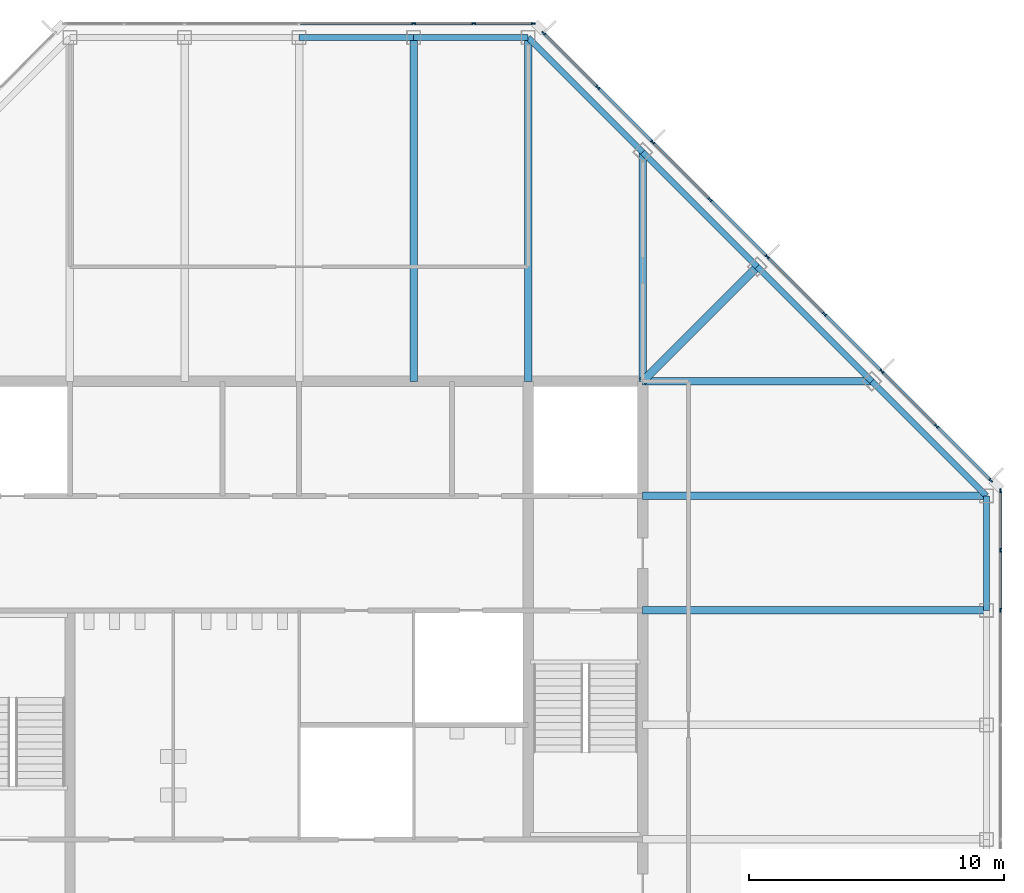
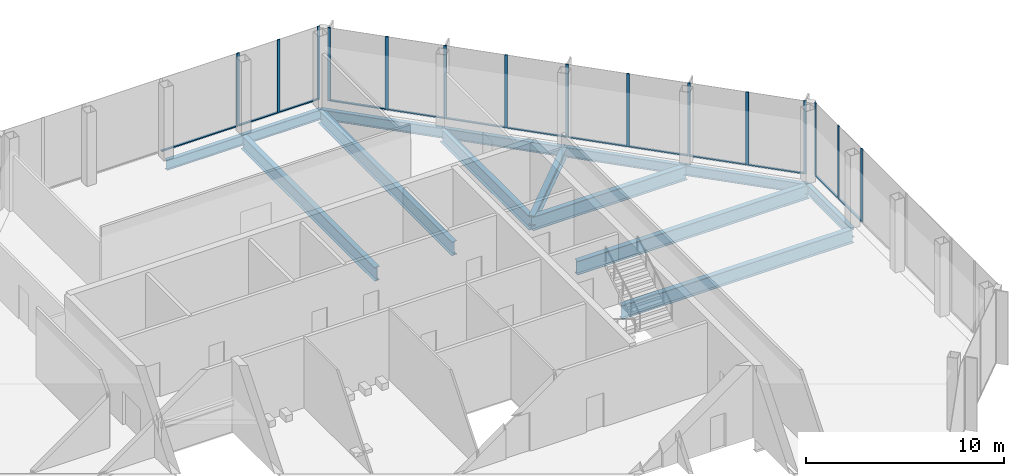
# One storey, part 7 of 13: 28 members, 14 beams, 3 elements without a shape of their own.
"""IFC4 building model written with IfcOpenShell, lengths in metres."""

from ifc_helpers import new_model, si_unit, direction, frame, origin, origin_2d, place, context, subcontext, project, spatial, rectangle, i_section, extrude, material, material_profile, profile_set, type_object, element, aggregate, save


model = new_model("IFC4")

# Units and contexts
model_context = context("Model", 3, precision=1e-05, world=origin(), true_north=direction((0.0, 1.0)))
body_context = subcontext(model_context, "Body", "Model", "MODEL_VIEW")
ifc_project = project(units=[si_unit("LENGTHUNIT", "METRE"), si_unit("AREAUNIT", "SQUARE_METRE"), si_unit("VOLUMEUNIT", "CUBIC_METRE"), si_unit("PLANEANGLEUNIT", "RADIAN"), si_unit("MASSUNIT", "GRAM", prefix="KILO")], contexts=[model_context])

# Site, building, storey
site_placement = place(None, origin())
site = spatial("IfcSite", under=ifc_project, at=site_placement, CompositionType="ELEMENT")
building_placement = place(site_placement, origin())
building = spatial("IfcBuilding", under=site, at=building_placement, Name="Corais Broadcast Tower", CompositionType="ELEMENT")
storey_placement = place(building_placement, frame((0.0, 0.0, 310.60009765625)))
storey = spatial("IfcBuildingStorey", under=building, at=storey_placement, Name="L73", CompositionType="ELEMENT", Elevation=310.60009765625)

# Beams
ifc_material_1 = material(Name="Steel ASTM A572 Grade 50", Category="steel")
ifc_material_profile_1 = material_profile(ifc_material_1, i_section(OverallWidth=0.323974609375, OverallDepth=0.611083984375, WebThickness=0.0126953125, FlangeThickness=0.01904296875, at=origin_2d()), Name="W610x155")
ifc_profile_set_1 = profile_set([ifc_material_profile_1], Name="Steel ASTM A572 Grade 50")
beam_type_1 = type_object("IfcBeamType", Name="Corner diagonal W610x155", PredefinedType="BEAM", material=ifc_profile_set_1)
beam_1_placement = place(storey_placement, frame((45.0, 45.0, -0.465576171875), z_axis=(-0.707106781187, -0.707106781187, 0.0), x_axis=(0.707106781187, -0.707106781187, 0.0)))
element("IfcBeam", 1, at=beam_1_placement, inside=storey, type_object=beam_type_1, Name="B6 L/13 to K/12", PredefinedType="BEAM", context=body_context, shape_type="SweptSolid", body=[
    extrude(i_section(OverallWidth=0.323974609375, OverallDepth=0.611083984375, WebThickness=0.0126953125, FlangeThickness=0.01904296875, at=origin_2d()), origin(), (0.0, 0.0, 1.0), 6.364013671875),
])
ifc_material_2 = material(Name="Steel ASTM A572 Grade 50", Category="steel")
ifc_material_profile_2 = material_profile(ifc_material_2, i_section(OverallWidth=0.2939453125, OverallDepth=0.85107421875, WebThickness=0.01611328125, FlangeThickness=0.02685546875, at=origin_2d()), Name="W840x226")
ifc_profile_set_2 = profile_set([ifc_material_profile_2], Name="Steel ASTM A572 Grade 50")
beam_type_2 = type_object("IfcBeamType", Name="Floor beam W840x226", PredefinedType="BEAM", material=ifc_profile_set_2)
for number, where, z_axis, x_axis, name in (
    (2, (31.5, 54.0, -0.585693359375), (0.0, -1.0, 0.0), (1.0, 0.0, 0.0), "B1 N/10 to K/10"),
    (3, (36.0, 54.0, -0.585693359375), (0.0, -1.0, 0.0), (1.0, 0.0, 0.0), "B1 N/11 to K/11"),
):
    element("IfcBeam", number, at=place(storey_placement, frame(where, z_axis=z_axis, x_axis=x_axis)), inside=storey, type_object=beam_type_2, Name=name, PredefinedType="BEAM", context=body_context, shape_type="SweptSolid", body=[
        extrude(i_section(OverallWidth=0.2939453125, OverallDepth=0.85107421875, WebThickness=0.01611328125, FlangeThickness=0.02685546875, at=origin_2d()), origin(), (0.0, 0.0, 1.0), 13.5),
    ])
for number, where, z_axis, x_axis, name in (
    (4, (40.5, 49.5, -0.585693359375), (0.0, -1.0, 0.0), (1.0, 0.0, 0.0), "B1 M/12 to K/12"),
    (5, (49.5, 40.5, -0.585693359375), (-1.0, 0.0, 0.0), (0.0, -1.0, 0.0), "B1 K/14 to K/12"),
):
    element("IfcBeam", number, at=place(storey_placement, frame(where, z_axis=z_axis, x_axis=x_axis)), inside=storey, type_object=beam_type_2, Name=name, PredefinedType="BEAM", context=body_context, shape_type="SweptSolid", body=[
        extrude(i_section(OverallWidth=0.2939453125, OverallDepth=0.85107421875, WebThickness=0.01611328125, FlangeThickness=0.02685546875, at=origin_2d()), origin(), (0.0, 0.0, 1.0), 9.0),
    ])
for number, where, z_axis, x_axis, name in (
    (6, (54.0, 31.5, -0.585693359375), (-1.0, 0.0, 0.0), (0.0, -1.0, 0.0), "B1 H/15 to H/12"),
    (7, (54.0, 36.0, -0.585693359375), (-1.0, 0.0, 0.0), (0.0, -1.0, 0.0), "B1 J/15 to J/12"),
):
    element("IfcBeam", number, at=place(storey_placement, frame(where, z_axis=z_axis, x_axis=x_axis)), inside=storey, type_object=beam_type_2, Name=name, PredefinedType="BEAM", context=body_context, shape_type="SweptSolid", body=[
        extrude(i_section(OverallWidth=0.2939453125, OverallDepth=0.85107421875, WebThickness=0.01611328125, FlangeThickness=0.02685546875, at=origin_2d()), origin(), (0.0, 0.0, 1.0), 13.5),
    ])

# Curtain wall, members
ifc_material_3 = material(Name="Aluminium and glass", Category="aluminium")
curtain_wall_type = type_object("IfcCurtainWallType", Name="Unitised fritted curtain wall CW3", PredefinedType="NOTDEFINED", material=ifc_material_3)
curtain_wall_1_placement = place(storey_placement, origin())
curtain_wall_1 = element("IfcCurtainWall", 8, at=curtain_wall_1_placement, inside=storey, type_object=curtain_wall_type, Name="CW3 curtain wall L73 4", PredefinedType="NOTDEFINED")
ifc_material_4 = material(Name="Aluminium 6063-T6", Category="aluminium")
ifc_material_profile_3 = material_profile(ifc_material_4, rectangle(XDim=0.06494140625, YDim=0.159912109375, at=origin_2d()), Name="Mullion CW3 65x160")
ifc_profile_set_3 = profile_set([ifc_material_profile_3], Name="Aluminium 6063-T6")
member_type_1 = type_object("IfcMemberType", Name="Mullion CW3 65x160", PredefinedType="MULLION", material=ifc_profile_set_3)
member_1_placement = place(storey_placement, frame((31.5, 54.550048828125, 0.0), z_axis=(0.0, 0.0, 1.0), x_axis=(0.0, 1.0, 0.0)))
member_1 = element("IfcMember", 9, at=member_1_placement, type_object=member_type_1, Name="CW3 mullion 5", PredefinedType="MULLION", context=body_context, shape_type="SweptSolid", body=[
    extrude(rectangle(XDim=0.06494140625, YDim=0.159912109375, at=origin_2d()), origin(), (0.0, 0.0, 1.0), 4.5),
])
member_2_placement = place(storey_placement, frame((33.864013671875, 54.550048828125, 0.0), z_axis=(0.0, 0.0, 1.0), x_axis=(0.0, 1.0, 0.0)))
member_2 = element("IfcMember", 10, at=member_2_placement, type_object=member_type_1, Name="CW3 mullion 6", PredefinedType="MULLION", context=body_context, shape_type="SweptSolid", body=[
    extrude(rectangle(XDim=0.06494140625, YDim=0.159912109375, at=origin_2d()), origin(), (0.0, 0.0, 1.0), 4.5),
])
member_3_placement = place(storey_placement, frame((36.1953125, 54.550048828125, 0.0), z_axis=(0.0, 0.0, 1.0), x_axis=(0.0, 1.0, 0.0)))
member_3 = element("IfcMember", 11, at=member_3_placement, type_object=member_type_1, Name="CW3 mullion 7", PredefinedType="MULLION", context=body_context, shape_type="SweptSolid", body=[
    extrude(rectangle(XDim=0.06494140625, YDim=0.159912109375, at=origin_2d()), origin(), (0.0, 0.0, 1.0), 4.5),
])

curtain_wall_2_placement = place(storey_placement, origin())
curtain_wall_2 = element("IfcCurtainWall", 12, at=curtain_wall_2_placement, inside=storey, type_object=curtain_wall_type, Name="CW3 curtain wall L73 5", PredefinedType="NOTDEFINED")
member_4_placement = place(storey_placement, frame((36.6044921875, 54.17333984375, 0.0), z_axis=(0.0, 0.0, 1.0), x_axis=(0.707106781187, 0.707106781187, 0.0)))
member_4 = element("IfcMember", 13, at=member_4_placement, type_object=member_type_1, Name="CW3 mullion 1", PredefinedType="MULLION", context=body_context, shape_type="SweptSolid", body=[
    extrude(rectangle(XDim=0.06494140625, YDim=0.159912109375, at=origin_2d()), origin(), (0.0, 0.0, 1.0), 4.5),
])
member_5_placement = place(storey_placement, frame((38.735107421875, 52.042724609375, 0.0), z_axis=(0.0, 0.0, 1.0), x_axis=(0.707106781187, 0.707106781187, 0.0)))
member_5 = element("IfcMember", 14, at=member_5_placement, type_object=member_type_1, Name="CW3 mullion 2", PredefinedType="MULLION", context=body_context, shape_type="SweptSolid", body=[
    extrude(rectangle(XDim=0.06494140625, YDim=0.159912109375, at=origin_2d()), origin(), (0.0, 0.0, 1.0), 4.5),
])
member_6_placement = place(storey_placement, frame((40.888916015625, 49.888916015625, 0.0), z_axis=(0.0, 0.0, 1.0), x_axis=(0.707106781187, 0.707106781187, 0.0)))
member_6 = element("IfcMember", 15, at=member_6_placement, type_object=member_type_1, Name="CW3 mullion 3", PredefinedType="MULLION", context=body_context, shape_type="SweptSolid", body=[
    extrude(rectangle(XDim=0.06494140625, YDim=0.159912109375, at=origin_2d()), origin(), (0.0, 0.0, 1.0), 4.5),
])
member_7_placement = place(storey_placement, frame((43.138916015625, 47.638916015625, 0.0), z_axis=(0.0, 0.0, 1.0), x_axis=(0.707106781187, 0.707106781187, 0.0)))
member_7 = element("IfcMember", 16, at=member_7_placement, type_object=member_type_1, Name="CW3 mullion 4", PredefinedType="MULLION", context=body_context, shape_type="SweptSolid", body=[
    extrude(rectangle(XDim=0.06494140625, YDim=0.159912109375, at=origin_2d()), origin(), (0.0, 0.0, 1.0), 4.5),
])
member_8_placement = place(storey_placement, frame((45.388916015625, 45.388916015625, 0.0), z_axis=(0.0, 0.0, 1.0), x_axis=(0.707106781187, 0.707106781187, 0.0)))
member_8 = element("IfcMember", 17, at=member_8_placement, type_object=member_type_1, Name="CW3 mullion 5", PredefinedType="MULLION", context=body_context, shape_type="SweptSolid", body=[
    extrude(rectangle(XDim=0.06494140625, YDim=0.159912109375, at=origin_2d()), origin(), (0.0, 0.0, 1.0), 4.5),
])
member_9_placement = place(storey_placement, frame((47.638916015625, 43.138916015625, 0.0), z_axis=(0.0, 0.0, 1.0), x_axis=(0.707106781187, 0.707106781187, 0.0)))
member_9 = element("IfcMember", 18, at=member_9_placement, type_object=member_type_1, Name="CW3 mullion 6", PredefinedType="MULLION", context=body_context, shape_type="SweptSolid", body=[
    extrude(rectangle(XDim=0.06494140625, YDim=0.159912109375, at=origin_2d()), origin(), (0.0, 0.0, 1.0), 4.5),
])
member_10_placement = place(storey_placement, frame((49.888916015625, 40.888916015625, 0.0), z_axis=(0.0, 0.0, 1.0), x_axis=(0.707106781187, 0.707106781187, 0.0)))
member_10 = element("IfcMember", 19, at=member_10_placement, type_object=member_type_1, Name="CW3 mullion 7", PredefinedType="MULLION", context=body_context, shape_type="SweptSolid", body=[
    extrude(rectangle(XDim=0.06494140625, YDim=0.159912109375, at=origin_2d()), origin(), (0.0, 0.0, 1.0), 4.5),
])
member_11_placement = place(storey_placement, frame((52.042724609375, 38.735107421875, 0.0), z_axis=(0.0, 0.0, 1.0), x_axis=(0.707106781187, 0.707106781187, 0.0)))
member_11 = element("IfcMember", 20, at=member_11_placement, type_object=member_type_1, Name="CW3 mullion 8", PredefinedType="MULLION", context=body_context, shape_type="SweptSolid", body=[
    extrude(rectangle(XDim=0.06494140625, YDim=0.159912109375, at=origin_2d()), origin(), (0.0, 0.0, 1.0), 4.5),
])
member_12_placement = place(storey_placement, frame((54.17333984375, 36.6044921875, 0.0), z_axis=(0.0, 0.0, 1.0), x_axis=(0.707106781187, 0.707106781187, 0.0)))
member_12 = element("IfcMember", 21, at=member_12_placement, type_object=member_type_1, Name="CW3 mullion 9", PredefinedType="MULLION", context=body_context, shape_type="SweptSolid", body=[
    extrude(rectangle(XDim=0.06494140625, YDim=0.159912109375, at=origin_2d()), origin(), (0.0, 0.0, 1.0), 4.5),
])

curtain_wall_3_placement = place(storey_placement, origin())
curtain_wall_3 = element("IfcCurtainWall", 22, at=curtain_wall_3_placement, inside=storey, type_object=curtain_wall_type, Name="CW3 curtain wall L73 6", PredefinedType="NOTDEFINED")
member_13_placement = place(storey_placement, frame((54.550048828125, 36.1953125, 0.0), z_axis=(0.0, 0.0, 1.0), x_axis=(1.0, 0.0, 0.0)))
member_13 = element("IfcMember", 23, at=member_13_placement, type_object=member_type_1, Name="CW3 mullion 1", PredefinedType="MULLION", context=body_context, shape_type="SweptSolid", body=[
    extrude(rectangle(XDim=0.06494140625, YDim=0.159912109375, at=origin_2d()), origin(), (0.0, 0.0, 1.0), 4.5),
])
member_14_placement = place(storey_placement, frame((54.550048828125, 33.864013671875, 0.0), z_axis=(0.0, 0.0, 1.0), x_axis=(1.0, 0.0, 0.0)))
member_14 = element("IfcMember", 24, at=member_14_placement, type_object=member_type_1, Name="CW3 mullion 2", PredefinedType="MULLION", context=body_context, shape_type="SweptSolid", body=[
    extrude(rectangle(XDim=0.06494140625, YDim=0.159912109375, at=origin_2d()), origin(), (0.0, 0.0, 1.0), 4.5),
])
member_15_placement = place(storey_placement, frame((54.550048828125, 31.5, 0.0), z_axis=(0.0, 0.0, 1.0), x_axis=(1.0, 0.0, 0.0)))
member_15 = element("IfcMember", 25, at=member_15_placement, type_object=member_type_1, Name="CW3 mullion 3", PredefinedType="MULLION", context=body_context, shape_type="SweptSolid", body=[
    extrude(rectangle(XDim=0.06494140625, YDim=0.159912109375, at=origin_2d()), origin(), (0.0, 0.0, 1.0), 4.5),
])

# Beams
ifc_material_5 = material(Name="Steel ASTM A572 Grade 50", Category="steel")
ifc_material_profile_4 = material_profile(ifc_material_5, i_section(OverallWidth=0.22998046875, OverallDepth=0.616943359375, WebThickness=0.01318359375, FlangeThickness=0.022216796875, at=origin_2d()), Name="W610x140")
ifc_profile_set_4 = profile_set([ifc_material_profile_4], Name="Steel ASTM A572 Grade 50")
beam_type_3 = type_object("IfcBeamType", Name="Spandrel W610x140", PredefinedType="BEAM", material=ifc_profile_set_4)
for number, where, z_axis, x_axis, name in (
    (26, (31.5, 54.0, -0.468505859375), (-1.0, 0.0, 0.0), (0.0, -1.0, 0.0), "SB3 N/10 to N/9"),
    (27, (36.0, 54.0, -0.468505859375), (-1.0, 0.0, 0.0), (0.0, -1.0, 0.0), "SB3 N/11 to N/10"),
):
    element("IfcBeam", number, at=place(storey_placement, frame(where, z_axis=z_axis, x_axis=x_axis)), inside=storey, type_object=beam_type_3, Name=name, PredefinedType="BEAM", context=body_context, shape_type="SweptSolid", body=[
        extrude(i_section(OverallWidth=0.22998046875, OverallDepth=0.616943359375, WebThickness=0.01318359375, FlangeThickness=0.022216796875, at=origin_2d()), origin(), (0.0, 0.0, 1.0), 4.5),
    ])
for number, where, z_axis, x_axis, name in (
    (28, (40.5, 49.5, -0.468505859375), (-0.707106781187, 0.707106781187, 0.0), (-0.707106781187, -0.707106781187, 0.0), "SB3 M/12 to N/11"),
    (29, (45.0, 45.0, -0.468505859375), (-0.707106781187, 0.707106781187, 0.0), (-0.707106781187, -0.707106781187, 0.0), "SB3 L/13 to M/12"),
    (30, (49.5, 40.5, -0.468505859375), (-0.707106781187, 0.707106781187, 0.0), (-0.707106781187, -0.707106781187, 0.0), "SB3 K/14 to L/13"),
):
    element("IfcBeam", number, at=place(storey_placement, frame(where, z_axis=z_axis, x_axis=x_axis)), inside=storey, type_object=beam_type_3, Name=name, PredefinedType="BEAM", context=body_context, shape_type="SweptSolid", body=[
        extrude(i_section(OverallWidth=0.22998046875, OverallDepth=0.616943359375, WebThickness=0.01318359375, FlangeThickness=0.022216796875, at=origin_2d()), origin(), (0.0, 0.0, 1.0), 6.364013671875),
    ])
beam_2_placement = place(storey_placement, frame((54.0, 31.5, -0.468505859375), z_axis=(0.0, 1.0, 0.0), x_axis=(-1.0, 0.0, 0.0)))
element("IfcBeam", 31, at=beam_2_placement, inside=storey, type_object=beam_type_3, Name="SB3 H/15 to J/15", PredefinedType="BEAM", context=body_context, shape_type="SweptSolid", body=[
    extrude(i_section(OverallWidth=0.22998046875, OverallDepth=0.616943359375, WebThickness=0.01318359375, FlangeThickness=0.022216796875, at=origin_2d()), origin(), (0.0, 0.0, 1.0), 4.5),
])
beam_3_placement = place(storey_placement, frame((54.0, 36.0, -0.468505859375), z_axis=(-0.707106781187, 0.707106781187, 0.0), x_axis=(-0.707106781187, -0.707106781187, 0.0)))
element("IfcBeam", 32, at=beam_3_placement, inside=storey, type_object=beam_type_3, Name="SB3 J/15 to K/14", PredefinedType="BEAM", context=body_context, shape_type="SweptSolid", body=[
    extrude(i_section(OverallWidth=0.22998046875, OverallDepth=0.616943359375, WebThickness=0.01318359375, FlangeThickness=0.022216796875, at=origin_2d()), origin(), (0.0, 0.0, 1.0), 6.364013671875),
])

# Member
ifc_material_6 = material(Name="Aluminium 6063-T6", Category="aluminium")
ifc_material_profile_5 = material_profile(ifc_material_6, rectangle(XDim=0.1201171875, YDim=0.06494140625, at=origin_2d()), Name="Transom CW3 65x120")
ifc_profile_set_5 = profile_set([ifc_material_profile_5], Name="Aluminium 6063-T6")
member_type_2 = type_object("IfcMemberType", Name="Transom CW3 65x120", PredefinedType="USERDEFINED", material=ifc_profile_set_5)
member_16_placement = place(storey_placement, frame((27.032470703125, 54.550048828125, 0.032470703125), z_axis=(1.0, 0.0, 0.0), x_axis=(0.0, 1.0, 0.0)))
member_16 = element("IfcMember", 33, at=member_16_placement, type_object=member_type_2, Name="CW3 transom 4.1", ObjectType="TRANSOM", PredefinedType="USERDEFINED", context=body_context, shape_type="SweptSolid", body=[
    extrude(rectangle(XDim=0.1201171875, YDim=0.06494140625, at=origin_2d()), origin(), (0.0, 0.0, 1.0), 4.43505859375),
])

member_17_placement = place(storey_placement, frame((31.532470703125, 54.550048828125, 0.032470703125), z_axis=(1.0, 0.0, 0.0), x_axis=(0.0, 1.0, 0.0)))
member_17 = element("IfcMember", 34, at=member_17_placement, type_object=member_type_2, Name="CW3 transom 5.1", ObjectType="TRANSOM", PredefinedType="USERDEFINED", context=body_context, shape_type="SweptSolid", body=[
    extrude(rectangle(XDim=0.1201171875, YDim=0.06494140625, at=origin_2d()), origin(), (0.0, 0.0, 1.0), 2.298828125),
])

member_18_placement = place(storey_placement, frame((33.896484375, 54.550048828125, 0.032470703125), z_axis=(1.0, 0.0, 0.0), x_axis=(0.0, 1.0, 0.0)))
member_18 = element("IfcMember", 35, at=member_18_placement, type_object=member_type_2, Name="CW3 transom 6.1", ObjectType="TRANSOM", PredefinedType="USERDEFINED", context=body_context, shape_type="SweptSolid", body=[
    extrude(rectangle(XDim=0.1201171875, YDim=0.06494140625, at=origin_2d()), origin(), (0.0, 0.0, 1.0), 2.266357421875),
])

aggregate(curtain_wall_1, [member_1, member_2, member_3, member_16, member_17, member_18])

member_19_placement = place(storey_placement, frame((36.62744140625, 54.150390625, 0.032470703125), z_axis=(0.707106781187, -0.707106781187, 0.0), x_axis=(0.707106781187, 0.707106781187, 0.0)))
member_19 = element("IfcMember", 36, at=member_19_placement, type_object=member_type_2, Name="CW3 transom 1.1", ObjectType="TRANSOM", PredefinedType="USERDEFINED", context=body_context, shape_type="SweptSolid", body=[
    extrude(rectangle(XDim=0.1201171875, YDim=0.06494140625, at=origin_2d()), origin(), (0.0, 0.0, 1.0), 2.9482421875),
])

member_20_placement = place(storey_placement, frame((38.758056640625, 52.019775390625, 0.032470703125), z_axis=(0.707106781187, -0.707106781187, 0.0), x_axis=(0.707106781187, 0.707106781187, 0.0)))
member_20 = element("IfcMember", 37, at=member_20_placement, type_object=member_type_2, Name="CW3 transom 2.1", ObjectType="TRANSOM", PredefinedType="USERDEFINED", context=body_context, shape_type="SweptSolid", body=[
    extrude(rectangle(XDim=0.1201171875, YDim=0.06494140625, at=origin_2d()), origin(), (0.0, 0.0, 1.0), 2.98095703125),
])

member_21_placement = place(storey_placement, frame((40.911865234375, 49.865966796875, 0.032470703125), z_axis=(0.707106781187, -0.707106781187, 0.0), x_axis=(0.707106781187, 0.707106781187, 0.0)))
member_21 = element("IfcMember", 38, at=member_21_placement, type_object=member_type_2, Name="CW3 transom 3.1", ObjectType="TRANSOM", PredefinedType="USERDEFINED", context=body_context, shape_type="SweptSolid", body=[
    extrude(rectangle(XDim=0.1201171875, YDim=0.06494140625, at=origin_2d()), origin(), (0.0, 0.0, 1.0), 3.1171875),
])

member_22_placement = place(storey_placement, frame((43.161865234375, 47.615966796875, 0.032470703125), z_axis=(0.707106781187, -0.707106781187, 0.0), x_axis=(0.707106781187, 0.707106781187, 0.0)))
member_22 = element("IfcMember", 39, at=member_22_placement, type_object=member_type_2, Name="CW3 transom 4.1", ObjectType="TRANSOM", PredefinedType="USERDEFINED", context=body_context, shape_type="SweptSolid", body=[
    extrude(rectangle(XDim=0.1201171875, YDim=0.06494140625, at=origin_2d()), origin(), (0.0, 0.0, 1.0), 3.1171875),
])

member_23_placement = place(storey_placement, frame((45.411865234375, 45.365966796875, 0.032470703125), z_axis=(0.707106781187, -0.707106781187, 0.0), x_axis=(0.707106781187, 0.707106781187, 0.0)))
member_23 = element("IfcMember", 40, at=member_23_placement, type_object=member_type_2, Name="CW3 transom 5.1", ObjectType="TRANSOM", PredefinedType="USERDEFINED", context=body_context, shape_type="SweptSolid", body=[
    extrude(rectangle(XDim=0.1201171875, YDim=0.06494140625, at=origin_2d()), origin(), (0.0, 0.0, 1.0), 3.1171875),
])

member_24_placement = place(storey_placement, frame((47.661865234375, 43.115966796875, 0.032470703125), z_axis=(0.707106781187, -0.707106781187, 0.0), x_axis=(0.707106781187, 0.707106781187, 0.0)))
member_24 = element("IfcMember", 41, at=member_24_placement, type_object=member_type_2, Name="CW3 transom 6.1", ObjectType="TRANSOM", PredefinedType="USERDEFINED", context=body_context, shape_type="SweptSolid", body=[
    extrude(rectangle(XDim=0.1201171875, YDim=0.06494140625, at=origin_2d()), origin(), (0.0, 0.0, 1.0), 3.1171875),
])

member_25_placement = place(storey_placement, frame((49.911865234375, 40.865966796875, 0.032470703125), z_axis=(0.707065828661, -0.70714773134, 0.0), x_axis=(0.70714773134, 0.707065828661, 0.0)))
member_25 = element("IfcMember", 42, at=member_25_placement, type_object=member_type_2, Name="CW3 transom 7.1", ObjectType="TRANSOM", PredefinedType="USERDEFINED", context=body_context, shape_type="SweptSolid", body=[
    extrude(rectangle(XDim=0.1201171875, YDim=0.06494140625, at=origin_2d()), origin(), (0.0, 0.0, 1.0), 2.98095703125),
])

member_26_placement = place(storey_placement, frame((52.065673828125, 38.712158203125, 0.032470703125), z_axis=(0.707106781187, -0.707106781187, 0.0), x_axis=(0.707106781187, 0.707106781187, 0.0)))
member_26 = element("IfcMember", 43, at=member_26_placement, type_object=member_type_2, Name="CW3 transom 8.1", ObjectType="TRANSOM", PredefinedType="USERDEFINED", context=body_context, shape_type="SweptSolid", body=[
    extrude(rectangle(XDim=0.1201171875, YDim=0.06494140625, at=origin_2d()), origin(), (0.0, 0.0, 1.0), 2.9482421875),
])

aggregate(curtain_wall_2, [member_4, member_5, member_6, member_7, member_8, member_9, member_10, member_11, member_12, member_19, member_20, member_21, member_22, member_23, member_24, member_25, member_26])

member_27_placement = place(storey_placement, frame((54.550048828125, 36.162841796875, 0.032470703125), z_axis=(0.0, -1.0, 0.0), x_axis=(1.0, 0.0, 0.0)))
member_27 = element("IfcMember", 44, at=member_27_placement, type_object=member_type_2, Name="CW3 transom 1.1", ObjectType="TRANSOM", PredefinedType="USERDEFINED", context=body_context, shape_type="SweptSolid", body=[
    extrude(rectangle(XDim=0.1201171875, YDim=0.06494140625, at=origin_2d()), origin(), (0.0, 0.0, 1.0), 2.266357421875),
])

member_28_placement = place(storey_placement, frame((54.550048828125, 33.831298828125, 0.032470703125), z_axis=(0.0, -1.0, 0.0), x_axis=(1.0, 0.0, 0.0)))
member_28 = element("IfcMember", 45, at=member_28_placement, type_object=member_type_2, Name="CW3 transom 2.1", ObjectType="TRANSOM", PredefinedType="USERDEFINED", context=body_context, shape_type="SweptSolid", body=[
    extrude(rectangle(XDim=0.1201171875, YDim=0.06494140625, at=origin_2d()), origin(), (0.0, 0.0, 1.0), 2.298828125),
])

aggregate(curtain_wall_3, [member_13, member_14, member_15, member_27, member_28])

save(model, "model.ifc")
